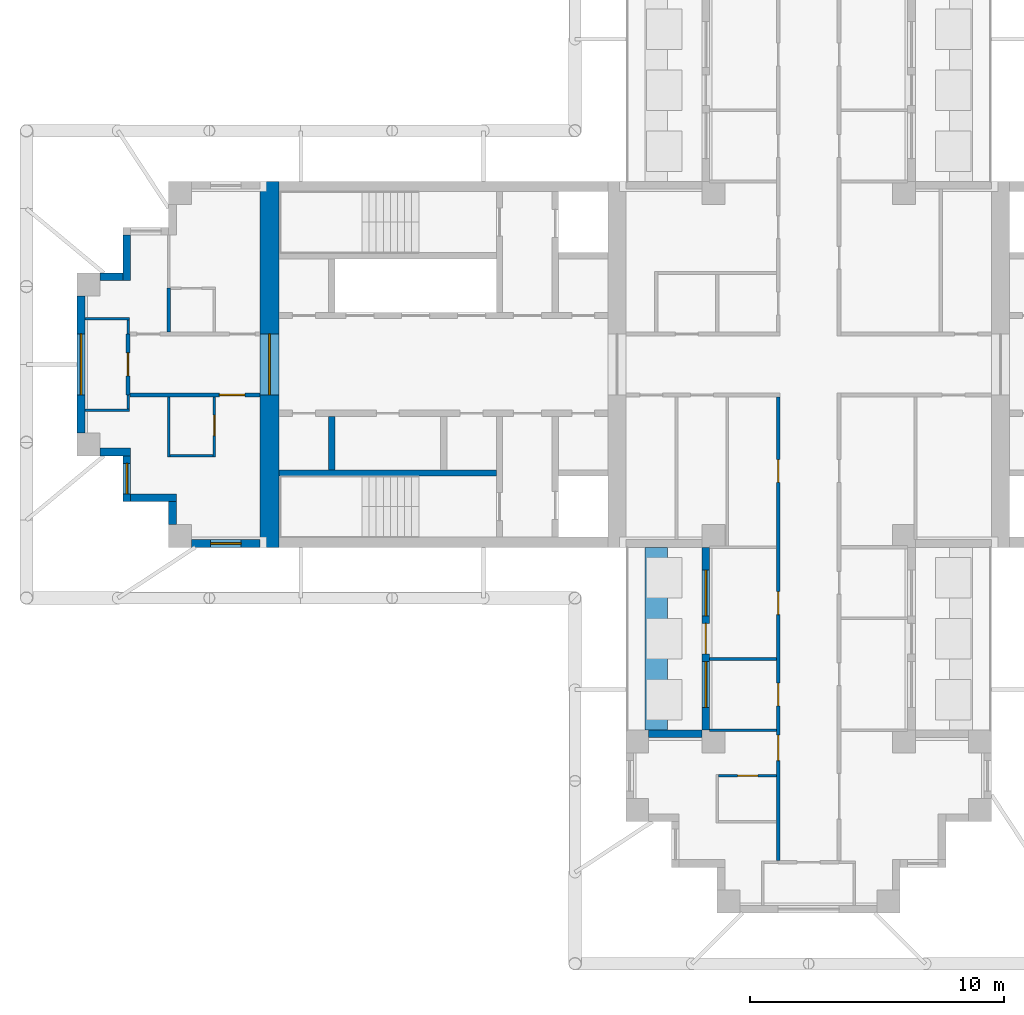
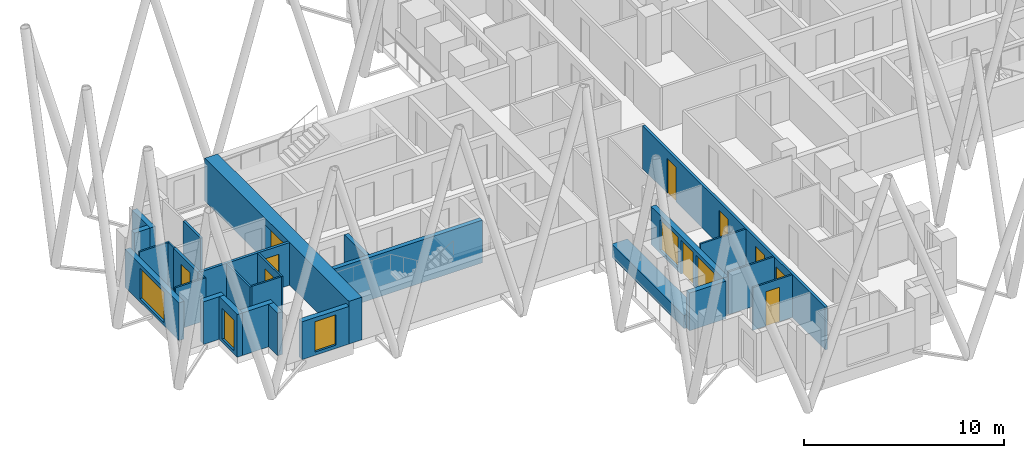
# One storey, part 3 of 11: 28 walls, 10 doors, 5 windows, 15 openings.
"""IFC4 building model written with IfcOpenShell, lengths in metres."""

from ifc_helpers import new_model, si_unit, direction, frame, frame_2d, origin, place, context, subcontext, project, spatial, rectangle, extrude, material, layer, layer_set, type_object, element, fill, save


model = new_model("IFC4")

# Units and contexts
model_context = context("Model", 3, precision=1e-05, world=origin(), true_north=direction((0.0, 1.0)))
body_context = subcontext(model_context, "Body", "Model", "MODEL_VIEW")
ifc_project = project(units=[si_unit("LENGTHUNIT", "METRE"), si_unit("AREAUNIT", "SQUARE_METRE"), si_unit("VOLUMEUNIT", "CUBIC_METRE"), si_unit("PLANEANGLEUNIT", "RADIAN"), si_unit("MASSUNIT", "GRAM", prefix="KILO")], contexts=[model_context])

# Site, building, storey
site_placement = place(None, origin())
site = spatial("IfcSite", under=ifc_project, at=site_placement, CompositionType="ELEMENT")
building_placement = place(site_placement, origin())
building = spatial("IfcBuilding", under=site, at=building_placement, Name="Fustian Cross Tower", CompositionType="ELEMENT")
storey_placement = place(building_placement, frame((0.0, 0.0, 234.89990234375)))
storey = spatial("IfcBuildingStorey", under=building, at=storey_placement, Name="L74", CompositionType="ELEMENT", Elevation=234.89990234375)

# Wall, opening, door
ifc_material_1 = material(Name="Plasterboard on steel stud", Category="steel")
ifc_layer_1 = layer(ifc_material_1, 0.14990234375)
ifc_layer_set_1 = layer_set([ifc_layer_1], Name="Plasterboard on steel stud")
wall_type_1 = type_object("IfcWallType", Name="COMPARTMENT WALL 150 EI 60", PredefinedType="PARTITIONING", material=ifc_layer_set_1)
wall_1_placement = place(storey_placement, frame((-26.800048828125, -1.199951171875, 0.0), z_axis=(0.0, 0.0, 1.0), x_axis=(0.0, 1.0, 0.0)))
wall_1 = element("IfcWall", 1, at=wall_1_placement, inside=storey, type_object=wall_type_1, Name="Partition 4", PredefinedType="PARTITIONING", context=body_context, shape_type="SweptSolid", body=[
    extrude(rectangle(XDim=2.39990234375, YDim=0.14990234375, at=frame_2d((1.199951171875, 0.0))), origin(), (0.0, 0.0, 1.0), 2.60009765625),
])
opening_1_placement = place(wall_1_placement, frame((0.75, 0.0, 0.0)))
opening_1 = element("IfcOpeningElement", 2, at=opening_1_placement, cuts=wall_1, Name="Opening D33026", PredefinedType="OPENING", context=body_context, shape_type="SweptSolid", body=[
    extrude(rectangle(XDim=0.89990234375, YDim=2.10009765625, at=frame_2d((0.449951171875, 1.050048828125))), frame((0.0, 0.0849609375, 0.0), z_axis=(0.0, -1.0, 0.0), x_axis=(1.0, 0.0, 0.0)), (0.0, 0.0, 1.0), 0.169921875),
])
ifc_material_2 = material(Name="Timber fire door set", Category="wood")
door_type_1 = type_object("IfcDoorType", Name="FIRE SWING DOOR 900 FD30S", OperationType="SINGLE_SWING_LEFT", PredefinedType="DOOR", material=ifc_material_2)
door_1_placement = place(opening_1_placement, origin())
door_1 = element("IfcDoor", 3, at=door_1_placement, inside=storey, type_object=door_type_1, Name="Door D33026", OperationType="SINGLE_SWING_LEFT", OverallHeight=2.10009765625, OverallWidth=0.89990234375, PredefinedType="DOOR", context=body_context, shape_type="SweptSolid", body=[
    extrude(rectangle(XDim=0.89990234375, YDim=2.10009765625, at=frame_2d((0.449951171875, 1.050048828125))), frame((0.0, 0.02490234375, 0.0), z_axis=(0.0, -1.0, 0.0), x_axis=(1.0, 0.0, 0.0)), (0.0, 0.0, 1.0), 0.050048828125),
])
fill(opening_1, door_1)

wall_2_placement = place(storey_placement, frame((-26.72509765625, -1.199951171875, 0.0), z_axis=(0.0, 0.0, 1.0), x_axis=(1.0, 0.0, 0.0)))
wall_2 = element("IfcWall", 4, at=wall_2_placement, inside=storey, type_object=wall_type_1, Name="Partition 5", PredefinedType="PARTITIONING", context=body_context, shape_type="SweptSolid", body=[
    extrude(rectangle(XDim=5.125, YDim=0.14990234375, at=frame_2d((2.5625, 0.0))), origin(), (0.0, 0.0, 1.0), 2.60009765625),
])
opening_2_placement = place(wall_2_placement, frame((3.52490234375, 0.0, 0.0)))
opening_2 = element("IfcOpeningElement", 5, at=opening_2_placement, cuts=wall_2, Name="Opening D33028", PredefinedType="OPENING", context=body_context, shape_type="SweptSolid", body=[
    extrude(rectangle(XDim=1.0, YDim=2.10009765625, at=frame_2d((0.5, 1.050048828125))), frame((0.0, 0.0849609375, 0.0), z_axis=(0.0, -1.0, 0.0), x_axis=(1.0, 0.0, 0.0)), (0.0, 0.0, 1.0), 0.169921875),
])
ifc_material_3 = material(Name="Timber fire door set", Category="wood")
door_type_2 = type_object("IfcDoorType", Name="FIRE SWING DOOR 1000 FD30S", OperationType="SINGLE_SWING_LEFT", PredefinedType="DOOR", material=ifc_material_3)
door_2_placement = place(opening_2_placement, frame((1.0, 0.0, 0.0), z_axis=(0.0, 0.0, 1.0), x_axis=(-1.0, 0.0, 0.0)))
door_2 = element("IfcDoor", 6, at=door_2_placement, inside=storey, type_object=door_type_2, Name="Door D33028", OperationType="SINGLE_SWING_RIGHT", OverallHeight=2.10009765625, OverallWidth=1.0, PredefinedType="DOOR", context=body_context, shape_type="SweptSolid", body=[
    extrude(rectangle(XDim=1.0, YDim=2.10009765625, at=frame_2d((0.5, 1.050048828125))), frame((0.0, 0.02490234375, 0.0), z_axis=(0.0, -1.0, 0.0), x_axis=(1.0, 0.0, 0.0)), (0.0, 0.0, 1.0), 0.050048828125),
])
fill(opening_2, door_2)

# Wall, openings, doors
wall_3_placement = place(storey_placement, frame((-1.199951171875, -19.52490234375, 0.0), z_axis=(0.0, 0.0, 1.0), x_axis=(0.0, 1.0, 0.0)))
wall_3 = element("IfcWall", 7, at=wall_3_placement, inside=storey, type_object=wall_type_1, Name="Partition 38", PredefinedType="PARTITIONING", context=body_context, shape_type="SweptSolid", body=[
    extrude(rectangle(XDim=18.25, YDim=0.14990234375, at=frame_2d((9.125, 0.0))), origin(), (0.0, 0.0, 1.0), 2.60009765625),
])
opening_3_placement = place(wall_3_placement, frame((14.875, 0.0, 0.0)))
opening_3 = element("IfcOpeningElement", 8, at=opening_3_placement, cuts=wall_3, Name="Opening D33008", PredefinedType="OPENING", context=body_context, shape_type="SweptSolid", body=[
    extrude(rectangle(XDim=0.89990234375, YDim=2.10009765625, at=frame_2d((0.449951171875, 1.050048828125))), frame((0.0, 0.0849609375, 0.0), z_axis=(0.0, -1.0, 0.0), x_axis=(1.0, 0.0, 0.0)), (0.0, 0.0, 1.0), 0.169921875),
])
opening_4_placement = place(wall_3_placement, frame((6.074951171875, 0.0, 0.0)))
opening_4 = element("IfcOpeningElement", 9, at=opening_4_placement, cuts=wall_3, Name="Opening D33036", PredefinedType="OPENING", context=body_context, shape_type="SweptSolid", body=[
    extrude(rectangle(XDim=0.89990234375, YDim=2.10009765625, at=frame_2d((0.449951171875, 1.050048828125))), frame((0.0, 0.0849609375, 0.0), z_axis=(0.0, -1.0, 0.0), x_axis=(1.0, 0.0, 0.0)), (0.0, 0.0, 1.0), 0.169921875),
])
opening_5_placement = place(wall_3_placement, frame((9.675048828125, 0.0, 0.0)))
opening_5 = element("IfcOpeningElement", 10, at=opening_5_placement, cuts=wall_3, Name="Opening D33037", PredefinedType="OPENING", context=body_context, shape_type="SweptSolid", body=[
    extrude(rectangle(XDim=0.89990234375, YDim=2.10009765625, at=frame_2d((0.449951171875, 1.050048828125))), frame((0.0, 0.0849609375, 0.0), z_axis=(0.0, -1.0, 0.0), x_axis=(1.0, 0.0, 0.0)), (0.0, 0.0, 1.0), 0.169921875),
])
opening_6_placement = place(wall_3_placement, frame((3.925048828125, 0.0, 0.0)))
opening_6 = element("IfcOpeningElement", 11, at=opening_6_placement, cuts=wall_3, Name="Opening D33039", PredefinedType="OPENING", context=body_context, shape_type="SweptSolid", body=[
    extrude(rectangle(XDim=1.0, YDim=2.10009765625, at=frame_2d((0.5, 1.050048828125))), frame((0.0, 0.0849609375, 0.0), z_axis=(0.0, -1.0, 0.0), x_axis=(1.0, 0.0, 0.0)), (0.0, 0.0, 1.0), 0.169921875),
])
door_3_placement = place(opening_6_placement, origin())
door_3 = element("IfcDoor", 12, at=door_3_placement, inside=storey, type_object=door_type_2, Name="Door D33039", OperationType="SINGLE_SWING_RIGHT", OverallHeight=2.10009765625, OverallWidth=1.0, PredefinedType="DOOR", context=body_context, shape_type="SweptSolid", body=[
    extrude(rectangle(XDim=1.0, YDim=2.10009765625, at=frame_2d((0.5, 1.050048828125))), frame((0.0, 0.02490234375, 0.0), z_axis=(0.0, -1.0, 0.0), x_axis=(1.0, 0.0, 0.0)), (0.0, 0.0, 1.0), 0.050048828125),
])
fill(opening_6, door_3)
door_4_placement = place(opening_3_placement, origin())
door_4 = element("IfcDoor", 13, at=door_4_placement, inside=storey, type_object=door_type_1, Name="Door D33008", OperationType="SINGLE_SWING_LEFT", OverallHeight=2.10009765625, OverallWidth=0.89990234375, PredefinedType="DOOR", context=body_context, shape_type="SweptSolid", body=[
    extrude(rectangle(XDim=0.89990234375, YDim=2.10009765625, at=frame_2d((0.449951171875, 1.050048828125))), frame((0.0, 0.02490234375, 0.0), z_axis=(0.0, -1.0, 0.0), x_axis=(1.0, 0.0, 0.0)), (0.0, 0.0, 1.0), 0.050048828125),
])
fill(opening_3, door_4)
door_5_placement = place(opening_4_placement, origin())
door_5 = element("IfcDoor", 14, at=door_5_placement, inside=storey, type_object=door_type_1, Name="Door D33036", OperationType="SINGLE_SWING_LEFT", OverallHeight=2.10009765625, OverallWidth=0.89990234375, PredefinedType="DOOR", context=body_context, shape_type="SweptSolid", body=[
    extrude(rectangle(XDim=0.89990234375, YDim=2.10009765625, at=frame_2d((0.449951171875, 1.050048828125))), frame((0.0, 0.02490234375, 0.0), z_axis=(0.0, -1.0, 0.0), x_axis=(1.0, 0.0, 0.0)), (0.0, 0.0, 1.0), 0.050048828125),
])
fill(opening_4, door_5)
door_6_placement = place(opening_5_placement, origin())
door_6 = element("IfcDoor", 15, at=door_6_placement, inside=storey, type_object=door_type_1, Name="Door D33037", OperationType="SINGLE_SWING_LEFT", OverallHeight=2.10009765625, OverallWidth=0.89990234375, PredefinedType="DOOR", context=body_context, shape_type="SweptSolid", body=[
    extrude(rectangle(XDim=0.89990234375, YDim=2.10009765625, at=frame_2d((0.449951171875, 1.050048828125))), frame((0.0, 0.02490234375, 0.0), z_axis=(0.0, -1.0, 0.0), x_axis=(1.0, 0.0, 0.0)), (0.0, 0.0, 1.0), 0.050048828125),
])
fill(opening_5, door_6)

# Wall, opening, door
ifc_material_4 = material(Name="Concrete C50/60", Category="concrete")
ifc_layer_2 = layer(ifc_material_4, 0.75)
ifc_layer_set_2 = layer_set([ifc_layer_2], Name="Concrete C50/60")
wall_type_2 = type_object("IfcWallType", Name="CORE END WALL 750 C50/60", PredefinedType="SHEAR", material=ifc_layer_set_2)
wall_4_placement = place(storey_placement, frame((-21.22509765625, -7.199951171875, 0.0), z_axis=(0.0, 0.0, 1.0), x_axis=(0.0, 1.0, 0.0)))
wall_4 = element("IfcWall", 16, at=wall_4_placement, inside=storey, type_object=wall_type_2, Name="Core end wall", PredefinedType="SHEAR", context=body_context, shape_type="SweptSolid", body=[
    extrude(rectangle(XDim=14.39990234375, YDim=0.75, at=frame_2d((7.199951171875, 0.0))), origin(), (0.0, 0.0, 1.0), 2.60009765625),
])
opening_7_placement = place(wall_4_placement, frame((6.0, 0.0, 0.0)))
opening_7 = element("IfcOpeningElement", 17, at=opening_7_placement, cuts=wall_4, Name="Opening CD-28-30", PredefinedType="OPENING", context=body_context, shape_type="SweptSolid", body=[
    extrude(rectangle(XDim=2.39990234375, YDim=2.199951171875, at=frame_2d((1.199951171875, 1.10009765625))), frame((0.0, 0.385009765625, 0.0), z_axis=(0.0, -1.0, 0.0), x_axis=(1.0, 0.0, 0.0)), (0.0, 0.0, 1.0), 0.77001953125),
])
ifc_material_5 = material(Name="Steel", Category="steel")
door_type_3 = type_object("IfcDoorType", Name="FIRE DOOR FD30S DOUBLE 2400X2200", OperationType="DOUBLE_DOOR_DOUBLE_SWING", PredefinedType="DOOR", material=ifc_material_5)
door_7_placement = place(opening_7_placement, frame((2.39990234375, 0.0, 0.0), z_axis=(0.0, 0.0, 1.0), x_axis=(-1.0, 0.0, 0.0)))
door_7 = element("IfcDoor", 18, at=door_7_placement, inside=storey, type_object=door_type_3, Name="Core door CD-28-30", OperationType="DOUBLE_DOOR_DOUBLE_SWING", OverallHeight=2.199951171875, OverallWidth=2.39990234375, PredefinedType="DOOR", context=body_context, shape_type="SweptSolid", body=[
    extrude(rectangle(XDim=2.39990234375, YDim=2.199951171875, at=frame_2d((1.199951171875, 1.10009765625))), frame((0.0, 0.02490234375, 0.0), z_axis=(0.0, -1.0, 0.0), x_axis=(1.0, 0.0, 0.0)), (0.0, 0.0, 1.0), 0.050048828125),
])
fill(opening_7, door_7)

# Walls
ifc_material_6 = material(Name="Concrete C50/60", Category="concrete")
ifc_layer_3 = layer(ifc_material_6, 0.25)
ifc_layer_set_3 = layer_set([ifc_layer_3], Name="Concrete C50/60")
wall_type_3 = type_object("IfcWallType", Name="CORE SHAFT WALL 250 C50/60", PredefinedType="SHEAR", material=ifc_layer_set_3)
wall_5_placement = place(storey_placement, frame((-12.300048828125, -4.27490234375, 0.0), z_axis=(0.0, 0.0, 1.0), x_axis=(-1.0, 0.0, 0.0)))
element("IfcWall", 19, at=wall_5_placement, inside=storey, type_object=wall_type_3, Name="Core shaft wall", PredefinedType="SHEAR", context=body_context, shape_type="SweptSolid", body=[
    extrude(rectangle(XDim=8.550048828125, YDim=0.25, at=frame_2d((4.27490234375, 0.0))), origin(), (0.0, 0.0, 1.0), 2.60009765625),
])
ifc_material_7 = material(Name="Plasterboard on steel stud", Category="steel")
ifc_layer_4 = layer(ifc_material_7, 0.10009765625)
ifc_layer_set_4 = layer_set([ifc_layer_4], Name="Plasterboard on steel stud")
wall_type_4 = type_object("IfcWallType", Name="PARTITION 100 STUD", PredefinedType="PARTITIONING", material=ifc_layer_set_4)
for number, where, z_axis, x_axis, name in (
    (20, (-28.5, -1.800048828125, 0.0), (0.0, 0.0, 1.0), (1.0, 0.0, 0.0), "Partition 1"),
    (21, (-28.5, 1.800048828125, 0.0), (0.0, 0.0, 1.0), (1.0, 0.0, 0.0), "Partition 2"),
):
    element("IfcWall", number, at=place(storey_placement, frame(where, z_axis=z_axis, x_axis=x_axis)), inside=storey, type_object=wall_type_4, Name=name, PredefinedType="PARTITIONING", context=body_context, shape_type="SweptSolid", body=[
        extrude(rectangle(XDim=1.75, YDim=0.10009765625, at=frame_2d((0.875, 0.0))), origin(), (0.0, 0.0, 1.0), 2.60009765625),
    ])
for number, where, z_axis, x_axis, name in (
    (22, (-26.800048828125, -1.75, 0.0), (0.0, 0.0, 1.0), (0.0, 1.0, 0.0), "Partition 3"),
    (23, (-26.800048828125, 1.199951171875, 0.0), (0.0, 0.0, 1.0), (0.0, 1.0, 0.0), "Partition 6"),
):
    element("IfcWall", number, at=place(storey_placement, frame(where, z_axis=z_axis, x_axis=x_axis)), inside=storey, type_object=wall_type_4, Name=name, PredefinedType="PARTITIONING", context=body_context, shape_type="SweptSolid", body=[
        extrude(rectangle(XDim=0.550048828125, YDim=0.10009765625, at=frame_2d((0.27490234375, 0.0))), origin(), (0.0, 0.0, 1.0), 2.60009765625),
    ])
wall_6_placement = place(storey_placement, frame((-25.199951171875, -3.64990234375, 0.0), z_axis=(0.0, 0.0, 1.0), x_axis=(0.0, 1.0, 0.0)))
element("IfcWall", 24, at=wall_6_placement, inside=storey, type_object=wall_type_4, Name="Partition 8", PredefinedType="PARTITIONING", context=body_context, shape_type="SweptSolid", body=[
    extrude(rectangle(XDim=2.375, YDim=0.10009765625, at=frame_2d((1.1875, 0.0))), origin(), (0.0, 0.0, 1.0), 2.60009765625),
])
wall_7_placement = place(storey_placement, frame((-25.14990234375, -3.60009765625, 0.0), z_axis=(0.0, 0.0, 1.0), x_axis=(1.0, 0.0, 0.0)))
element("IfcWall", 25, at=wall_7_placement, inside=storey, type_object=wall_type_4, Name="Partition 9", PredefinedType="PARTITIONING", context=body_context, shape_type="SweptSolid", body=[
    extrude(rectangle(XDim=1.699951171875, YDim=0.10009765625, at=frame_2d((0.85009765625, 0.0))), origin(), (0.0, 0.0, 1.0), 2.60009765625),
])

# Wall, opening, door
wall_8_placement = place(storey_placement, frame((-23.39990234375, -3.64990234375, 0.0), z_axis=(0.0, 0.0, 1.0), x_axis=(0.0, 1.0, 0.0)))
wall_8 = element("IfcWall", 26, at=wall_8_placement, inside=storey, type_object=wall_type_4, Name="Partition 13", PredefinedType="PARTITIONING", context=body_context, shape_type="SweptSolid", body=[
    extrude(rectangle(XDim=2.375, YDim=0.10009765625, at=frame_2d((1.1875, 0.0))), origin(), (0.0, 0.0, 1.0), 2.60009765625),
])
opening_8_placement = place(wall_8_placement, frame((0.85009765625, 0.0, 0.0)))
opening_8 = element("IfcOpeningElement", 27, at=opening_8_placement, cuts=wall_8, Name="Opening D33027", PredefinedType="OPENING", context=body_context, shape_type="SweptSolid", body=[
    extrude(rectangle(XDim=0.800048828125, YDim=2.10009765625, at=frame_2d((0.39990234375, 1.050048828125))), frame((0.0, 0.06005859375, 0.0), z_axis=(0.0, -1.0, 0.0), x_axis=(1.0, 0.0, 0.0)), (0.0, 0.0, 1.0), 0.1201171875),
])
ifc_material_8 = material(Name="Painted timber", Category="wood")
door_type_4 = type_object("IfcDoorType", Name="SWING DOOR 800", OperationType="SINGLE_SWING_LEFT", PredefinedType="DOOR", material=ifc_material_8)
door_8_placement = place(opening_8_placement, origin())
door_8 = element("IfcDoor", 28, at=door_8_placement, inside=storey, type_object=door_type_4, Name="Door D33027", OperationType="SINGLE_SWING_LEFT", OverallHeight=2.10009765625, OverallWidth=0.800048828125, PredefinedType="DOOR", context=body_context, shape_type="SweptSolid", body=[
    extrude(rectangle(XDim=0.800048828125, YDim=2.10009765625, at=frame_2d((0.39990234375, 1.050048828125))), frame((0.0, 0.02490234375, 0.0), z_axis=(0.0, -1.0, 0.0), x_axis=(1.0, 0.0, 0.0)), (0.0, 0.0, 1.0), 0.050048828125),
])
fill(opening_8, door_8)

# Walls
for number, where, z_axis, x_axis, name in (
    (29, (-3.89990234375, -14.39990234375, 0.0), (0.0, 0.0, 1.0), (1.0, 0.0, 0.0), "Partition 20"),
    (30, (-3.89990234375, -11.60009765625, 0.0), (0.0, 0.0, 1.0), (1.0, 0.0, 0.0), "Partition 21"),
):
    element("IfcWall", number, at=place(storey_placement, frame(where, z_axis=z_axis, x_axis=x_axis)), inside=storey, type_object=wall_type_4, Name=name, PredefinedType="PARTITIONING", context=body_context, shape_type="SweptSolid", body=[
        extrude(rectangle(XDim=2.625, YDim=0.10009765625, at=frame_2d((1.3125, 0.0))), origin(), (0.0, 0.0, 1.0), 2.60009765625),
    ])

# Wall, opening, door
wall_9_placement = place(storey_placement, frame((-3.550048828125, -16.199951171875, 0.0), z_axis=(0.0, 0.0, 1.0), x_axis=(1.0, 0.0, 0.0)))
wall_9 = element("IfcWall", 31, at=wall_9_placement, inside=storey, type_object=wall_type_4, Name="Partition 28", PredefinedType="PARTITIONING", context=body_context, shape_type="SweptSolid", body=[
    extrude(rectangle(XDim=2.275146484375, YDim=0.10009765625, at=frame_2d((1.1376953125, 0.0))), origin(), (0.0, 0.0, 1.0), 2.60009765625),
])
opening_9_placement = place(wall_9_placement, frame((0.75, 0.0, 0.0)))
opening_9 = element("IfcOpeningElement", 32, at=opening_9_placement, cuts=wall_9, Name="Opening D33038", PredefinedType="OPENING", context=body_context, shape_type="SweptSolid", body=[
    extrude(rectangle(XDim=0.800048828125, YDim=2.10009765625, at=frame_2d((0.39990234375, 1.050048828125))), frame((0.0, 0.06005859375, 0.0), z_axis=(0.0, -1.0, 0.0), x_axis=(1.0, 0.0, 0.0)), (0.0, 0.0, 1.0), 0.1201171875),
])
door_9_placement = place(opening_9_placement, frame((0.800048828125, 0.0, 0.0), z_axis=(0.0, 0.0, 1.0), x_axis=(-1.0, 0.0, 0.0)))
door_9 = element("IfcDoor", 33, at=door_9_placement, inside=storey, type_object=door_type_4, Name="Door D33038", OperationType="SINGLE_SWING_RIGHT", OverallHeight=2.10009765625, OverallWidth=0.800048828125, PredefinedType="DOOR", context=body_context, shape_type="SweptSolid", body=[
    extrude(rectangle(XDim=0.800048828125, YDim=2.10009765625, at=frame_2d((0.39990234375, 1.050048828125))), frame((0.0, 0.02490234375, 0.0), z_axis=(0.0, -1.0, 0.0), x_axis=(1.0, 0.0, 0.0)), (0.0, 0.0, 1.0), 0.050048828125),
])
fill(opening_9, door_9)

# Walls
ifc_material_9 = material(Name="Concrete C40/50", Category="concrete")
ifc_layer_5 = layer(ifc_material_9, 0.89990234375)
ifc_layer_set_5 = layer_set([ifc_layer_5], Name="Concrete C40/50")
wall_type_5 = type_object("IfcWallType", Name="PK1 PLANTER 900", PredefinedType="PARAPET", material=ifc_layer_set_5)
wall_10_placement = place(storey_placement, frame((-6.0, -14.39990234375, 0.0), z_axis=(0.0, 0.0, 1.0), x_axis=(0.0, 1.0, 0.0)))
element("IfcWall", 34, at=wall_10_placement, inside=storey, type_object=wall_type_5, Name="PLANTER", PredefinedType="PARAPET", context=body_context, shape_type="SweptSolid", body=[
    extrude(rectangle(XDim=7.199951171875, YDim=0.89990234375, at=frame_2d((3.60009765625, 0.0))), origin(), (0.0, 0.0, 1.0), 0.800048828125),
])
ifc_material_10 = material(Name="Concrete C40/50", Category="concrete")
ifc_layer_6 = layer(ifc_material_10, 0.25)
ifc_layer_set_6 = layer_set([ifc_layer_6], Name="Concrete C40/50")
wall_type_6 = type_object("IfcWallType", Name="SHAFT PARTITION WALL 250 C40/50", PredefinedType="PARTITIONING", material=ifc_layer_set_6)
wall_11_placement = place(storey_placement, frame((-18.77490234375, -2.050048828125, 0.0), z_axis=(0.0, 0.0, 1.0), x_axis=(0.0, -1.0, 0.0)))
element("IfcWall", 35, at=wall_11_placement, inside=storey, type_object=wall_type_6, Name="Core shaft wall", PredefinedType="PARTITIONING", context=body_context, shape_type="SweptSolid", body=[
    extrude(rectangle(XDim=2.099853515625, YDim=0.25, at=frame_2d((1.0498046875, 0.0))), origin(), (0.0, 0.0, 1.0), 2.60009765625),
])
ifc_material_11 = material(Name="Plasterboard on steel stud", Category="steel")
ifc_layer_7 = layer(ifc_material_11, 0.125)
ifc_layer_set_7 = layer_set([ifc_layer_7], Name="Plasterboard on steel stud")
wall_type_7 = type_object("IfcWallType", Name="WET WALL 125 STUD", PredefinedType="PARTITIONING", material=ifc_layer_set_7)
wall_12_placement = place(storey_placement, frame((-25.199951171875, 1.27490234375, 0.0), z_axis=(0.0, 0.0, 1.0), x_axis=(0.0, 1.0, 0.0)))
element("IfcWall", 36, at=wall_12_placement, inside=storey, type_object=wall_type_7, Name="Partition 10", PredefinedType="PARTITIONING", context=body_context, shape_type="SweptSolid", body=[
    extrude(rectangle(XDim=1.72509765625, YDim=0.125, at=frame_2d((0.862548828125, 0.0))), origin(), (0.0, 0.0, 1.0), 2.60009765625),
])
ifc_material_12 = material(Name="Dark aluminium cladding on insulated backing wall", Category="aluminium")
ifc_layer_8 = layer(ifc_material_12, 0.300048828125)
ifc_layer_set_8 = layer_set([ifc_layer_8], Name="Dark aluminium cladding on insulated backing wall")
wall_type_8 = type_object("IfcWallType", Name="XW1 EXTERNAL WALL 300", PredefinedType="SOLIDWALL", material=ifc_layer_set_8)
wall_13_placement = place(storey_placement, frame((-26.85009765625, 5.10009765625, 0.0), z_axis=(0.0, 0.0, 1.0), x_axis=(0.0, -1.0, 0.0)))
element("IfcWall", 37, at=wall_13_placement, inside=storey, type_object=wall_type_8, Name="External wall", PredefinedType="SOLIDWALL", context=body_context, shape_type="SweptSolid", body=[
    extrude(rectangle(XDim=1.800048828125, YDim=0.300048828125, at=frame_2d((0.89990234375, 0.0))), origin(), (0.0, 0.0, 1.0), 2.60009765625),
])
wall_14_placement = place(storey_placement, frame((-27.0, 3.449951171875, 0.0), z_axis=(0.0, 0.0, 1.0), x_axis=(-1.0, 0.0, 0.0)))
element("IfcWall", 38, at=wall_14_placement, inside=storey, type_object=wall_type_8, Name="External wall", PredefinedType="SOLIDWALL", context=body_context, shape_type="SweptSolid", body=[
    extrude(rectangle(XDim=0.89990234375, YDim=0.300048828125, at=frame_2d((0.449951171875, 0.0))), origin(), (0.0, 0.0, 1.0), 2.60009765625),
])

# Wall, opening, window
wall_15_placement = place(storey_placement, frame((-28.64990234375, 2.699951171875, 0.0), z_axis=(0.0, 0.0, 1.0), x_axis=(0.0, -1.0, 0.0)))
wall_15 = element("IfcWall", 39, at=wall_15_placement, inside=storey, type_object=wall_type_8, Name="External wall", PredefinedType="SOLIDWALL", context=body_context, shape_type="SweptSolid", body=[
    extrude(rectangle(XDim=5.39990234375, YDim=0.300048828125, at=frame_2d((2.699951171875, 0.0))), origin(), (0.0, 0.0, 1.0), 2.300048828125),
])
opening_10_placement = place(wall_15_placement, frame((1.5, 0.0, 0.199951171875)))
opening_10 = element("IfcOpeningElement", 40, at=opening_10_placement, cuts=wall_15, Name="Opening WN1", PredefinedType="OPENING", context=body_context, shape_type="SweptSolid", body=[
    extrude(rectangle(XDim=2.39990234375, YDim=1.85009765625, at=frame_2d((1.199951171875, 0.925048828125))), frame((0.0, 0.159912109375, 0.0), z_axis=(0.0, -1.0, 0.0), x_axis=(1.0, 0.0, 0.0)), (0.0, 0.0, 1.0), 0.320068359375),
])
ifc_material_13 = material(Name="Dark anodised aluminium and double glazing", Category="aluminium")
window_type_1 = type_object("IfcWindowType", Name="WN1 WINDOW 2400X1850", PartitioningType="SINGLE_PANEL", PredefinedType="WINDOW", material=ifc_material_13)
window_1_placement = place(opening_10_placement, origin())
window_1 = element("IfcWindow", 41, at=window_1_placement, inside=storey, type_object=window_type_1, Name="Window", OverallHeight=1.85009765625, OverallWidth=2.39990234375, PartitioningType="SINGLE_PANEL", PredefinedType="WINDOW", context=body_context, shape_type="SweptSolid", body=[
    extrude(rectangle(XDim=2.39990234375, YDim=1.85009765625, at=frame_2d((1.199951171875, 0.925048828125))), frame((0.0, 0.030029296875, 0.0), z_axis=(0.0, -1.0, 0.0), x_axis=(1.0, 0.0, 0.0)), (0.0, 0.0, 1.0), 0.06005859375),
])
fill(opening_10, window_1)

# Wall
wall_16_placement = place(storey_placement, frame((-27.89990234375, -3.449951171875, 0.0), z_axis=(0.0, 0.0, 1.0), x_axis=(1.0, 0.0, 0.0)))
element("IfcWall", 42, at=wall_16_placement, inside=storey, type_object=wall_type_8, Name="External wall", PredefinedType="SOLIDWALL", context=body_context, shape_type="SweptSolid", body=[
    extrude(rectangle(XDim=1.199951171875, YDim=0.300048828125, at=frame_2d((0.60009765625, 0.0))), origin(), (0.0, 0.0, 1.0), 2.60009765625),
])

# Wall, opening, window
wall_17_placement = place(storey_placement, frame((-26.85009765625, -3.60009765625, 0.0), z_axis=(0.0, 0.0, 1.0), x_axis=(0.0, -1.0, 0.0)))
wall_17 = element("IfcWall", 43, at=wall_17_placement, inside=storey, type_object=wall_type_8, Name="External wall", PredefinedType="SOLIDWALL", context=body_context, shape_type="SweptSolid", body=[
    extrude(rectangle(XDim=1.7998046875, YDim=0.300048828125, at=frame_2d((0.89990234375, 0.0))), origin(), (0.0, 0.0, 1.0), 2.60009765625),
])
opening_11_placement = place(wall_17_placement, frame((0.300048828125, 0.0, 0.199951171875)))
opening_11 = element("IfcOpeningElement", 44, at=opening_11_placement, cuts=wall_17, Name="Opening WN3", PredefinedType="OPENING", context=body_context, shape_type="SweptSolid", body=[
    extrude(rectangle(XDim=1.199951171875, YDim=1.85009765625, at=frame_2d((0.60009765625, 0.925048828125))), frame((0.0, 0.159912109375, 0.0), z_axis=(0.0, -1.0, 0.0), x_axis=(1.0, 0.0, 0.0)), (0.0, 0.0, 1.0), 0.320068359375),
])
ifc_material_14 = material(Name="Dark anodised aluminium and double glazing", Category="aluminium")
window_type_2 = type_object("IfcWindowType", Name="WN3 WINDOW 1200X1850", PartitioningType="SINGLE_PANEL", PredefinedType="WINDOW", material=ifc_material_14)
window_2_placement = place(opening_11_placement, origin())
window_2 = element("IfcWindow", 45, at=window_2_placement, inside=storey, type_object=window_type_2, Name="Window", OverallHeight=1.85009765625, OverallWidth=1.199951171875, PartitioningType="SINGLE_PANEL", PredefinedType="WINDOW", context=body_context, shape_type="SweptSolid", body=[
    extrude(rectangle(XDim=1.199951171875, YDim=1.85009765625, at=frame_2d((0.60009765625, 0.925048828125))), frame((0.0, 0.030029296875, 0.0), z_axis=(0.0, -1.0, 0.0), x_axis=(1.0, 0.0, 0.0)), (0.0, 0.0, 1.0), 0.06005859375),
])
fill(opening_11, window_2)

# Walls
wall_18_placement = place(storey_placement, frame((-26.699951171875, -5.25, 0.0), z_axis=(0.0, 0.0, 1.0), x_axis=(1.0, 0.0, 0.0)))
element("IfcWall", 46, at=wall_18_placement, inside=storey, type_object=wall_type_8, Name="External wall", PredefinedType="SOLIDWALL", context=body_context, shape_type="SweptSolid", body=[
    extrude(rectangle(XDim=1.800048828125, YDim=0.300048828125, at=frame_2d((0.89990234375, 0.0))), origin(), (0.0, 0.0, 1.0), 2.60009765625),
])
wall_19_placement = place(storey_placement, frame((-25.050048828125, -5.39990234375, 0.0), z_axis=(0.0, 0.0, 1.0), x_axis=(0.0, -1.0, 0.0)))
element("IfcWall", 47, at=wall_19_placement, inside=storey, type_object=wall_type_8, Name="External wall", PredefinedType="SOLIDWALL", context=body_context, shape_type="SweptSolid", body=[
    extrude(rectangle(XDim=0.900146484375, YDim=0.300048828125, at=frame_2d((0.4501953125, 0.0))), origin(), (0.0, 0.0, 1.0), 2.60009765625),
])

# Wall, opening, window
wall_20_placement = place(storey_placement, frame((-24.300048828125, -7.050048828125, 0.0), z_axis=(0.0, 0.0, 1.0), x_axis=(1.0, 0.0, 0.0)))
wall_20 = element("IfcWall", 48, at=wall_20_placement, inside=storey, type_object=wall_type_8, Name="External wall", PredefinedType="SOLIDWALL", context=body_context, shape_type="SweptSolid", body=[
    extrude(rectangle(XDim=2.699951171875, YDim=0.300048828125, at=frame_2d((1.35009765625, 0.0))), origin(), (0.0, 0.0, 1.0), 2.300048828125),
])
opening_12_placement = place(wall_20_placement, frame((0.75, 0.0, 0.199951171875)))
opening_12 = element("IfcOpeningElement", 49, at=opening_12_placement, cuts=wall_20, Name="Opening WN3", PredefinedType="OPENING", context=body_context, shape_type="SweptSolid", body=[
    extrude(rectangle(XDim=1.199951171875, YDim=1.85009765625, at=frame_2d((0.60009765625, 0.925048828125))), frame((0.0, 0.159912109375, 0.0), z_axis=(0.0, -1.0, 0.0), x_axis=(1.0, 0.0, 0.0)), (0.0, 0.0, 1.0), 0.320068359375),
])
window_3_placement = place(opening_12_placement, origin())
window_3 = element("IfcWindow", 50, at=window_3_placement, inside=storey, type_object=window_type_2, Name="Window", OverallHeight=1.85009765625, OverallWidth=1.199951171875, PartitioningType="SINGLE_PANEL", PredefinedType="WINDOW", context=body_context, shape_type="SweptSolid", body=[
    extrude(rectangle(XDim=1.199951171875, YDim=1.85009765625, at=frame_2d((0.60009765625, 0.925048828125))), frame((0.0, 0.030029296875, 0.0), z_axis=(0.0, -1.0, 0.0), x_axis=(1.0, 0.0, 0.0)), (0.0, 0.0, 1.0), 0.06005859375),
])
fill(opening_12, window_3)

# Wall, openings, door, windows
wall_21_placement = place(storey_placement, frame((-4.050048828125, -7.199951171875, 0.0), z_axis=(0.0, 0.0, 1.0), x_axis=(0.0, -1.0, 0.0)))
wall_21 = element("IfcWall", 51, at=wall_21_placement, inside=storey, type_object=wall_type_8, Name="External wall", PredefinedType="SOLIDWALL", context=body_context, shape_type="SweptSolid", body=[
    extrude(rectangle(XDim=7.199951171875, YDim=0.300048828125, at=frame_2d((3.60009765625, 0.0))), origin(), (0.0, 0.0, 1.0), 2.300048828125),
])
opening_13_placement = place(wall_21_placement, frame((3.0, 0.0, 0.0)))
opening_13 = element("IfcOpeningElement", 52, at=opening_13_placement, cuts=wall_21, Name="Opening XD4", PredefinedType="OPENING", context=body_context, shape_type="SweptSolid", body=[
    extrude(rectangle(XDim=1.199951171875, YDim=2.050048828125, at=frame_2d((0.60009765625, 1.02490234375))), frame((0.0, 0.159912109375, 0.0), z_axis=(0.0, -1.0, 0.0), x_axis=(1.0, 0.0, 0.0)), (0.0, 0.0, 1.0), 0.320068359375),
])
opening_14_placement = place(wall_21_placement, frame((0.89990234375, 0.0, 0.199951171875)))
opening_14 = element("IfcOpeningElement", 53, at=opening_14_placement, cuts=wall_21, Name="Opening WN2", PredefinedType="OPENING", context=body_context, shape_type="SweptSolid", body=[
    extrude(rectangle(XDim=1.800048828125, YDim=1.85009765625, at=frame_2d((0.89990234375, 0.925048828125))), frame((0.0, 0.159912109375, 0.0), z_axis=(0.0, -1.0, 0.0), x_axis=(1.0, 0.0, 0.0)), (0.0, 0.0, 1.0), 0.320068359375),
])
opening_15_placement = place(wall_21_placement, frame((4.5, 0.0, 0.199951171875)))
opening_15 = element("IfcOpeningElement", 54, at=opening_15_placement, cuts=wall_21, Name="Opening WN2", PredefinedType="OPENING", context=body_context, shape_type="SweptSolid", body=[
    extrude(rectangle(XDim=1.800048828125, YDim=1.85009765625, at=frame_2d((0.89990234375, 0.925048828125))), frame((0.0, 0.159912109375, 0.0), z_axis=(0.0, -1.0, 0.0), x_axis=(1.0, 0.0, 0.0)), (0.0, 0.0, 1.0), 0.320068359375),
])
ifc_material_15 = material(Name="Dark anodised aluminium and double glazing", Category="aluminium")
door_type_5 = type_object("IfcDoorType", Name="ED1 BALCONY DOOR 1200X2050", OperationType="SINGLE_SWING_LEFT", PredefinedType="DOOR", material=ifc_material_15)
door_10_placement = place(opening_13_placement, origin())
door_10 = element("IfcDoor", 55, at=door_10_placement, inside=storey, type_object=door_type_5, Name="Balcony door", OperationType="SINGLE_SWING_LEFT", OverallHeight=2.050048828125, OverallWidth=1.199951171875, PredefinedType="DOOR", context=body_context, shape_type="SweptSolid", body=[
    extrude(rectangle(XDim=1.199951171875, YDim=2.050048828125, at=frame_2d((0.60009765625, 1.02490234375))), frame((0.0, 0.02490234375, 0.0), z_axis=(0.0, -1.0, 0.0), x_axis=(1.0, 0.0, 0.0)), (0.0, 0.0, 1.0), 0.050048828125),
])
fill(opening_13, door_10)
ifc_material_16 = material(Name="Dark anodised aluminium and double glazing", Category="aluminium")
window_type_3 = type_object("IfcWindowType", Name="WN2 WINDOW 1800X1850", PartitioningType="SINGLE_PANEL", PredefinedType="WINDOW", material=ifc_material_16)
window_4_placement = place(opening_14_placement, origin())
window_4 = element("IfcWindow", 56, at=window_4_placement, inside=storey, type_object=window_type_3, Name="Window", OverallHeight=1.85009765625, OverallWidth=1.800048828125, PartitioningType="SINGLE_PANEL", PredefinedType="WINDOW", context=body_context, shape_type="SweptSolid", body=[
    extrude(rectangle(XDim=1.800048828125, YDim=1.85009765625, at=frame_2d((0.89990234375, 0.925048828125))), frame((0.0, 0.030029296875, 0.0), z_axis=(0.0, -1.0, 0.0), x_axis=(1.0, 0.0, 0.0)), (0.0, 0.0, 1.0), 0.06005859375),
])
fill(opening_14, window_4)
window_5_placement = place(opening_15_placement, origin())
window_5 = element("IfcWindow", 57, at=window_5_placement, inside=storey, type_object=window_type_3, Name="Window", OverallHeight=1.85009765625, OverallWidth=1.800048828125, PartitioningType="SINGLE_PANEL", PredefinedType="WINDOW", context=body_context, shape_type="SweptSolid", body=[
    extrude(rectangle(XDim=1.800048828125, YDim=1.85009765625, at=frame_2d((0.89990234375, 0.925048828125))), frame((0.0, 0.030029296875, 0.0), z_axis=(0.0, -1.0, 0.0), x_axis=(1.0, 0.0, 0.0)), (0.0, 0.0, 1.0), 0.06005859375),
])
fill(opening_15, window_5)

# Wall
wall_22_placement = place(storey_placement, frame((-4.199951171875, -14.550048828125, 0.0), z_axis=(0.0, 0.0, 1.0), x_axis=(-1.0, 0.0, 0.0)))
element("IfcWall", 58, at=wall_22_placement, inside=storey, type_object=wall_type_8, Name="External wall", PredefinedType="SOLIDWALL", context=body_context, shape_type="SweptSolid", body=[
    extrude(rectangle(XDim=2.10009765625, YDim=0.300048828125, at=frame_2d((1.050048828125, 0.0))), origin(), (0.0, 0.0, 1.0), 2.300048828125),
])

save(model, "model.ifc")
